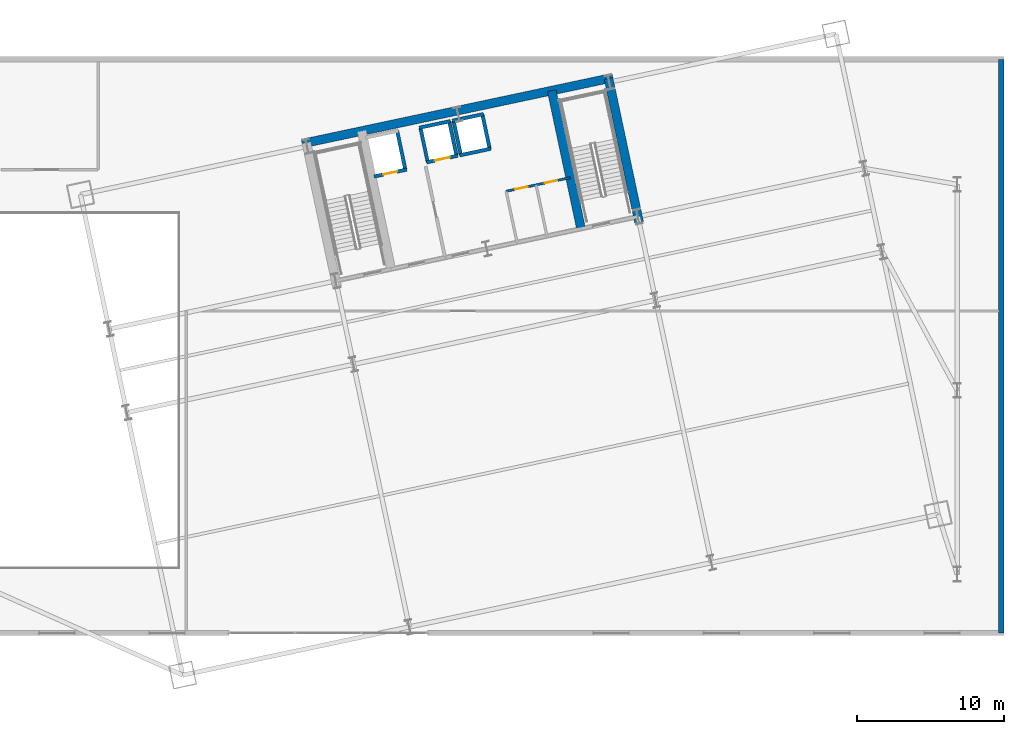
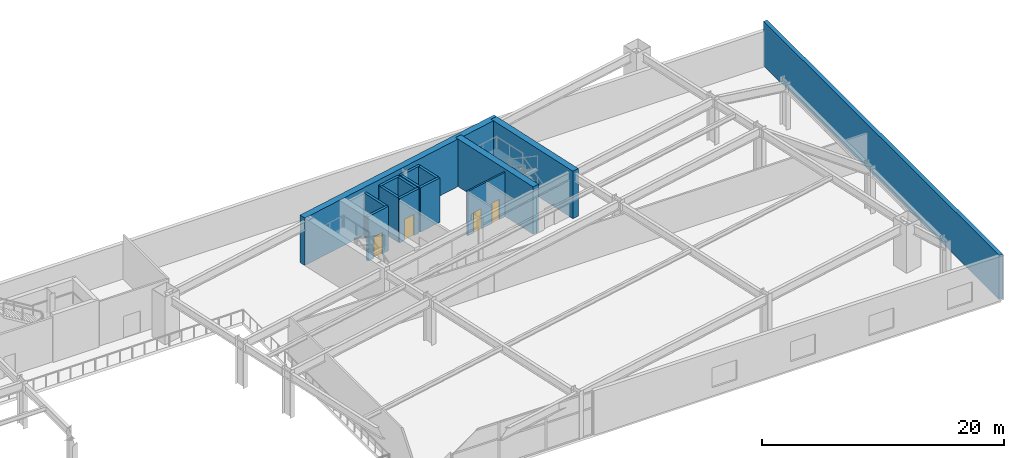
# One storey, part 16 of 25: 15 walls, 4 doors, 4 openings.
"""IFC4 building model written with IfcOpenShell, lengths in metres."""

from ifc_helpers import new_model, si_unit, direction, frame, frame_2d, origin, place, context, subcontext, project, spatial, rectangle, extrude, material, layer, layer_set, type_object, element, fill, save


model = new_model("IFC4")

# Units and contexts
model_context = context("Model", 3, precision=1e-05, world=origin(), true_north=direction((0.0, 1.0)))
body_context = subcontext(model_context, "Body", "Model", "MODEL_VIEW")
ifc_project = project(units=[si_unit("LENGTHUNIT", "METRE"), si_unit("AREAUNIT", "SQUARE_METRE"), si_unit("VOLUMEUNIT", "CUBIC_METRE"), si_unit("PLANEANGLEUNIT", "RADIAN"), si_unit("MASSUNIT", "GRAM", prefix="KILO")], contexts=[model_context])

# Site, building, storey
site_placement = place(None, origin())
site = spatial("IfcSite", under=ifc_project, at=site_placement, CompositionType="ELEMENT")
building_placement = place(site_placement, origin())
building = spatial("IfcBuilding", under=site, at=building_placement, Name="Haevon Station Towers", CompositionType="ELEMENT")
storey_placement = place(building_placement, frame((0.0, 0.0, 6.0)))
storey = spatial("IfcBuildingStorey", under=building, at=storey_placement, Name="L01", CompositionType="ELEMENT", Elevation=6.0)

# Walls
ifc_material_1 = material(Name="Concrete C60/75", Category="concrete")
ifc_layer_1 = layer(ifc_material_1, 0.60009765625)
ifc_layer_set_1 = layer_set([ifc_layer_1], Name="Concrete C60/75")
wall_type_1 = type_object("IfcWallType", Name="WL-CR600", PredefinedType="SHEAR", material=ifc_layer_set_1)
wall_1_placement = place(storey_placement, frame((96.462890625, 46.770263671875, 0.0), z_axis=(0.0, 0.0, 1.0), x_axis=(0.978147272959, 0.207913232873, 0.0)))
element("IfcWall", 1, at=wall_1_placement, inside=storey, type_object=wall_type_1, Name="WL-T2CR-L01-N", PredefinedType="SHEAR", context=body_context, shape_type="SweptSolid", body=[
    extrude(rectangle(XDim=21.60009765625, YDim=0.60009765625, at=frame_2d((10.800048828125, 0.0))), origin(), (0.0, 0.0, 1.0), 4.800048828125),
])
wall_2_placement = place(storey_placement, frame((119.401611328125, 41.2998046875, 0.0), z_axis=(0.0, 0.0, 1.0), x_axis=(-0.207904342798, 0.978149162575, 0.0)))
element("IfcWall", 2, at=wall_2_placement, inside=storey, type_object=wall_type_1, Name="WL-T2CR-L01-E", PredefinedType="SHEAR", context=body_context, shape_type="SweptSolid", body=[
    extrude(rectangle(XDim=10.1201171875, YDim=0.60009765625, at=frame_2d((5.06005859375, 0.0))), origin(), (0.0, 0.0, 1.0), 4.800048828125),
])
wall_3_placement = place(storey_placement, frame((115.4296875, 40.9873046875, 0.0), z_axis=(0.0, 0.0, 1.0), x_axis=(-0.207903162969, 0.978149413345, 0.0)))
element("IfcWall", 3, at=wall_3_placement, inside=storey, type_object=wall_type_1, Name="WL-T2CR-L01-M2", PredefinedType="SHEAR", context=body_context, shape_type="SweptSolid", body=[
    extrude(rectangle(XDim=9.599853515625, YDim=0.60009765625, at=frame_2d((4.7998046875, 0.0))), origin(), (0.0, 0.0, 1.0), 4.800048828125),
])
ifc_material_2 = material(Name="Precast concrete C45/55", Category="concrete")
ifc_layer_2 = layer(ifc_material_2, 0.360107421875)
ifc_layer_set_2 = layer_set([ifc_layer_2], Name="Precast concrete C45/55")
wall_type_2 = type_object("IfcWallType", Name="WL-EXT-POD360", PredefinedType="SOLIDWALL", material=ifc_layer_set_2)
wall_4_placement = place(storey_placement, frame((144.0, 52.5, 0.0), z_axis=(0.0, 0.0, 1.0), x_axis=(0.0, -1.0, 0.0)))
element("IfcWall", 4, at=wall_4_placement, inside=storey, type_object=wall_type_2, Name="WL-POD-L01-E", PredefinedType="SOLIDWALL", context=body_context, shape_type="SweptSolid", body=[
    extrude(rectangle(XDim=39.0, YDim=0.360107421875, at=frame_2d((19.5, 0.0))), origin(), (0.0, 0.0, 1.0), 4.47998046875),
])

# Wall, openings, doors
ifc_material_3 = material(Name="Gypsum board on steel stud", Category="steel")
ifc_layer_3 = layer(ifc_material_3, 0.159912109375)
ifc_layer_set_3 = layer_set([ifc_layer_3], Name="Gypsum board on steel stud")
wall_type_3 = type_object("IfcWallType", Name="WL-PRT160", PredefinedType="PARTITIONING", material=ifc_layer_set_3)
wall_5_placement = place(storey_placement, frame((110.3388671875, 43.534423828125, 0.0), z_axis=(0.0, 0.0, 1.0), x_axis=(0.978143929138, 0.207928963567, 0.0)))
wall_5 = element("IfcWall", 5, at=wall_5_placement, inside=storey, type_object=wall_type_3, Name="WL-T2CW-L01-03", PredefinedType="PARTITIONING", context=body_context, shape_type="SweptSolid", body=[
    extrude(rectangle(XDim=4.449951171875, YDim=0.159912109375, at=frame_2d((2.22509765625, 0.0))), origin(), (0.0, 0.0, 1.0), 4.47998046875),
])
opening_1_placement = place(wall_5_placement, frame((0.635009765625, 0.0, 0.0)))
opening_1 = element("IfcOpeningElement", 6, at=opening_1_placement, cuts=wall_5, Name="Opening DR-WL-T2CW-L01-03-1", PredefinedType="OPENING", context=body_context, shape_type="SweptSolid", body=[
    extrude(rectangle(XDim=0.85009765625, YDim=2.050048828125, at=frame_2d((0.425048828125, 1.02490234375))), frame((0.0, 0.08984375, 0.0), z_axis=(0.0, -1.0, 0.0), x_axis=(1.0, 0.0, 0.0)), (0.0, 0.0, 1.0), 0.179931640625),
])
opening_2_placement = place(wall_5_placement, frame((2.679931640625, 0.0, 0.0)))
opening_2 = element("IfcOpeningElement", 7, at=opening_2_placement, cuts=wall_5, Name="Opening DR-WL-T2CW-L01-03-2", PredefinedType="OPENING", context=body_context, shape_type="SweptSolid", body=[
    extrude(rectangle(XDim=0.85009765625, YDim=2.050048828125, at=frame_2d((0.425048828125, 1.02490234375))), frame((0.0, 0.08984375, 0.0), z_axis=(0.0, -1.0, 0.0), x_axis=(1.0, 0.0, 0.0)), (0.0, 0.0, 1.0), 0.179931640625),
])
ifc_material_4 = material(Name="Engineered oak timber", Category="wood")
door_type_1 = type_object("IfcDoorType", Name="DR-FD30-850", OperationType="NOTDEFINED", PredefinedType="DOOR", material=ifc_material_4)
door_1_placement = place(opening_1_placement, origin())
door_1 = element("IfcDoor", 8, at=door_1_placement, inside=storey, type_object=door_type_1, Name="L01 Tower 2 Core Room Door 3-1", OperationType="SINGLE_SWING_RIGHT", OverallHeight=2.050048828125, OverallWidth=0.85009765625, PredefinedType="DOOR", context=body_context, shape_type="SweptSolid", body=[
    extrude(rectangle(XDim=0.85009765625, YDim=2.050048828125, at=frame_2d((0.425048828125, 1.02490234375))), frame((0.0, 0.02490234375, 0.0), z_axis=(0.0, -1.0, 0.0), x_axis=(1.0, 0.0, 0.0)), (0.0, 0.0, 1.0), 0.050048828125),
])
fill(opening_1, door_1)
door_2_placement = place(opening_2_placement, origin())
door_2 = element("IfcDoor", 9, at=door_2_placement, inside=storey, type_object=door_type_1, Name="L01 Tower 2 Core Room Door 3-2", OperationType="SINGLE_SWING_LEFT", OverallHeight=2.050048828125, OverallWidth=0.85009765625, PredefinedType="DOOR", context=body_context, shape_type="SweptSolid", body=[
    extrude(rectangle(XDim=0.85009765625, YDim=2.050048828125, at=frame_2d((0.425048828125, 1.02490234375))), frame((0.0, 0.02490234375, 0.0), z_axis=(0.0, -1.0, 0.0), x_axis=(1.0, 0.0, 0.0)), (0.0, 0.0, 1.0), 0.050048828125),
])
fill(opening_2, door_2)

# Wall, opening, door
ifc_material_5 = material(Name="Concrete C40/50", Category="concrete")
ifc_layer_4 = layer(ifc_material_5, 0.239990234375)
ifc_layer_set_4 = layer_set([ifc_layer_4], Name="Concrete C40/50")
wall_type_4 = type_object("IfcWallType", Name="WL-SHF240", PredefinedType="PARTITIONING", material=ifc_layer_set_4)
wall_6_placement = place(storey_placement, frame((101.353759765625, 44.538330078125, 0.0), z_axis=(0.0, 0.0, 1.0), x_axis=(0.978141002414, 0.207942731049, 0.0)))
wall_6 = element("IfcWall", 10, at=wall_6_placement, inside=storey, type_object=wall_type_4, Name="WL-SHF-FL2-L01", PredefinedType="PARTITIONING", context=body_context, shape_type="SweptSolid", body=[
    extrude(rectangle(XDim=2.260009765625, YDim=0.239990234375, at=frame_2d((1.1298828125, 0.0))), origin(), (0.0, 0.0, 1.0), 4.47998046875),
])
opening_3_placement = place(wall_6_placement, frame((0.655029296875, 0.0, 0.0)))
opening_3 = element("IfcOpeningElement", 11, at=opening_3_placement, cuts=wall_6, Name="Opening LD-FL2-L01", PredefinedType="OPENING", context=body_context, shape_type="SweptSolid", body=[
    extrude(rectangle(XDim=0.949951171875, YDim=2.14990234375, at=frame_2d((0.47509765625, 1.074951171875))), frame((0.0, 0.1298828125, 0.0), z_axis=(0.0, -1.0, 0.0), x_axis=(1.0, 0.0, 0.0)), (0.0, 0.0, 1.0), 0.260009765625),
])
ifc_material_6 = material(Name="Stainless steel and rated core", Category="steel")
door_type_2 = type_object("IfcDoorType", Name="LD-FL950", OperationType="SLIDING_TO_LEFT", PredefinedType="DOOR", material=ifc_material_6)
door_3_placement = place(opening_3_placement, origin())
door_3 = element("IfcDoor", 12, at=door_3_placement, inside=storey, type_object=door_type_2, Name="L01 Lift FL2 Sliding Landing Door", OperationType="SLIDING_TO_LEFT", OverallHeight=2.14990234375, OverallWidth=0.949951171875, PredefinedType="DOOR", context=body_context, shape_type="SweptSolid", body=[
    extrude(rectangle(XDim=0.949951171875, YDim=2.14990234375, at=frame_2d((0.47509765625, 1.074951171875))), frame((0.0, 0.02490234375, 0.0), z_axis=(0.0, -1.0, 0.0), x_axis=(1.0, 0.0, 0.0)), (0.0, 0.0, 1.0), 0.050048828125),
])
fill(opening_3, door_3)

# Wall
wall_7_placement = place(storey_placement, frame((103.486328125, 44.99169921875, 0.0), z_axis=(0.0, 0.0, 1.0), x_axis=(-0.207978798957, 0.978133334052, 0.0)))
element("IfcWall", 13, at=wall_7_placement, inside=storey, type_object=wall_type_4, Name="WL-SHF-FL2-L01-E", PredefinedType="PARTITIONING", context=body_context, shape_type="SweptSolid", body=[
    extrude(rectangle(XDim=2.699951171875, YDim=0.239990234375, at=frame_2d((1.35009765625, 0.0))), origin(), (0.0, 0.0, 1.0), 4.47998046875),
])

# Wall, opening, door
wall_8_placement = place(storey_placement, frame((104.931396484375, 45.503173828125, 0.0), z_axis=(0.0, 0.0, 1.0), x_axis=(0.97813528961, 0.207969601673, 0.0)))
wall_8 = element("IfcWall", 14, at=wall_8_placement, inside=storey, type_object=wall_type_4, Name="WL-SHF-PL7-L01", PredefinedType="PARTITIONING", context=body_context, shape_type="SweptSolid", body=[
    extrude(rectangle(XDim=2.159912109375, YDim=0.239990234375, at=frame_2d((1.080078125, 0.0))), origin(), (0.0, 0.0, 1.0), 4.47998046875),
])
opening_4_placement = place(wall_8_placement, frame((0.554931640625, 0.0, 0.0)))
opening_4 = element("IfcOpeningElement", 15, at=opening_4_placement, cuts=wall_8, Name="Opening LD-PL7-L01", PredefinedType="OPENING", context=body_context, shape_type="SweptSolid", body=[
    extrude(rectangle(XDim=1.050048828125, YDim=2.14990234375, at=frame_2d((0.52490234375, 1.074951171875))), frame((0.0, 0.1298828125, 0.0), z_axis=(0.0, -1.0, 0.0), x_axis=(1.0, 0.0, 0.0)), (0.0, 0.0, 1.0), 0.260009765625),
])
door_type_3 = type_object("IfcDoorType", Name="LD-PL1050", OperationType="SLIDING_TO_LEFT", PredefinedType="DOOR", material=ifc_material_6)
door_4_placement = place(opening_4_placement, origin())
door_4 = element("IfcDoor", 16, at=door_4_placement, inside=storey, type_object=door_type_3, Name="L01 Lift PL7 Sliding Landing Door", OperationType="SLIDING_TO_LEFT", OverallHeight=2.14990234375, OverallWidth=1.050048828125, PredefinedType="DOOR", context=body_context, shape_type="SweptSolid", body=[
    extrude(rectangle(XDim=1.050048828125, YDim=2.14990234375, at=frame_2d((0.52490234375, 1.074951171875))), frame((0.0, 0.02490234375, 0.0), z_axis=(0.0, -1.0, 0.0), x_axis=(1.0, 0.0, 0.0)), (0.0, 0.0, 1.0), 0.050048828125),
])
fill(opening_4, door_4)

# Walls
wall_9_placement = place(storey_placement, frame((104.432373046875, 47.850830078125, 0.0), z_axis=(0.0, 0.0, 1.0), x_axis=(0.978158276388, 0.207861459473, 0.0)))
element("IfcWall", 17, at=wall_9_placement, inside=storey, type_object=wall_type_4, Name="WL-SHF-PL7-L01-N", PredefinedType="PARTITIONING", context=body_context, shape_type="SweptSolid", body=[
    extrude(rectangle(XDim=2.159912109375, YDim=0.239990234375, at=frame_2d((1.080078125, 0.0))), origin(), (0.0, 0.0, 1.0), 4.47998046875),
])
wall_10_placement = place(storey_placement, frame((105.009765625, 45.519775390625, 0.0), z_axis=(0.0, 0.0, 1.0), x_axis=(-0.207917150959, 0.978146440129, 0.0)))
element("IfcWall", 18, at=wall_10_placement, inside=storey, type_object=wall_type_4, Name="WL-SHF-PL7-L01-W", PredefinedType="PARTITIONING", context=body_context, shape_type="SweptSolid", body=[
    extrude(rectangle(XDim=2.400146484375, YDim=0.239990234375, at=frame_2d((1.2001953125, 0.0))), origin(), (0.0, 0.0, 1.0), 4.47998046875),
])
wall_11_placement = place(storey_placement, frame((106.966064453125, 45.935791015625, 0.0), z_axis=(0.0, 0.0, 1.0), x_axis=(-0.207937840262, 0.978142042133, 0.0)))
element("IfcWall", 19, at=wall_11_placement, inside=storey, type_object=wall_type_4, Name="WL-SHF-PL7-L01-E", PredefinedType="PARTITIONING", context=body_context, shape_type="SweptSolid", body=[
    extrude(rectangle(XDim=2.39990234375, YDim=0.239990234375, at=frame_2d((1.199951171875, 0.0))), origin(), (0.0, 0.0, 1.0), 4.47998046875),
])
for number, where, z_axis, x_axis, name in (
    (20, (107.18115234375, 45.9814453125, 0.0), (0.0, 0.0, 1.0), (0.97813528961, 0.207969601673, 0.0), "WL-SHF-PL8-L01"),
    (21, (106.68212890625, 48.3291015625, 0.0), (0.0, 0.0, 1.0), (0.978158276388, 0.207861459473, 0.0), "WL-SHF-PL8-L01-N"),
):
    element("IfcWall", number, at=place(storey_placement, frame(where, z_axis=z_axis, x_axis=x_axis)), inside=storey, type_object=wall_type_4, Name=name, PredefinedType="PARTITIONING", context=body_context, shape_type="SweptSolid", body=[
        extrude(rectangle(XDim=2.159912109375, YDim=0.239990234375, at=frame_2d((1.080078125, 0.0))), origin(), (0.0, 0.0, 1.0), 4.47998046875),
    ])
for number, where, z_axis, x_axis, name in (
    (22, (107.259521484375, 45.998046875, 0.0), (0.0, 0.0, 1.0), (-0.207917150959, 0.978146440129, 0.0), "WL-SHF-PL8-L01-W"),
    (23, (109.2158203125, 46.413818359375, 0.0), (0.0, 0.0, 1.0), (-0.207917150959, 0.978146440129, 0.0), "WL-SHF-PL8-L01-E"),
):
    element("IfcWall", number, at=place(storey_placement, frame(where, z_axis=z_axis, x_axis=x_axis)), inside=storey, type_object=wall_type_4, Name=name, PredefinedType="PARTITIONING", context=body_context, shape_type="SweptSolid", body=[
        extrude(rectangle(XDim=2.400146484375, YDim=0.239990234375, at=frame_2d((1.2001953125, 0.0))), origin(), (0.0, 0.0, 1.0), 4.47998046875),
    ])

save(model, "model.ifc")
